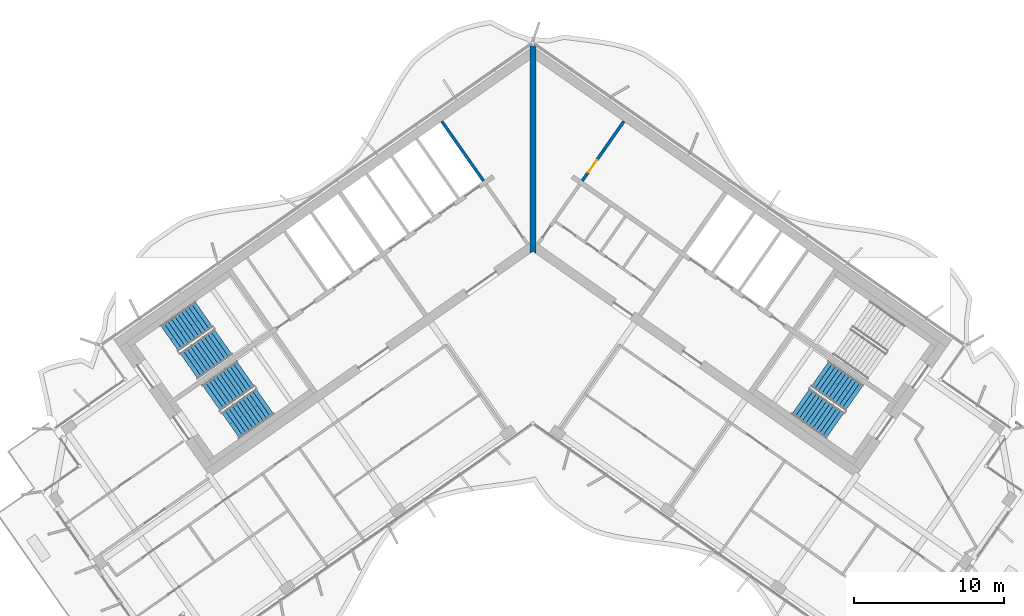
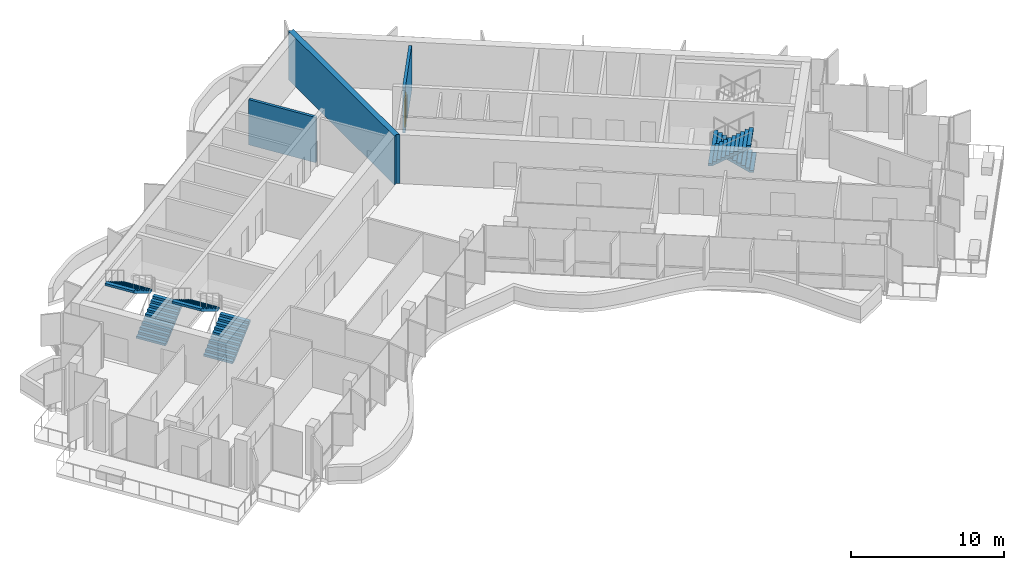
# One storey, part 14 of 21: 6 stair flights, 3 walls, 1 door, 1 opening, 3 elements without a shape of their own.
"""IFC4 building model written with IfcOpenShell, lengths in metres."""

from ifc_helpers import new_model, si_unit, direction, frame, frame_2d, origin, place, context, subcontext, project, spatial, polyline, rectangle, outline, extrude, material, layer, layer_set, type_object, element, fill, aggregate, save


model = new_model("IFC4")

# Units and contexts
model_context = context("Model", 3, precision=1e-05, world=origin(), true_north=direction((0.0, 1.0)))
body_context = subcontext(model_context, "Body", "Model", "MODEL_VIEW")
ifc_project = project(units=[si_unit("LENGTHUNIT", "METRE"), si_unit("AREAUNIT", "SQUARE_METRE"), si_unit("VOLUMEUNIT", "CUBIC_METRE"), si_unit("PLANEANGLEUNIT", "RADIAN"), si_unit("MASSUNIT", "GRAM", prefix="KILO")], contexts=[model_context])

# Site, building, storey
site_placement = place(None, origin())
site = spatial("IfcSite", under=ifc_project, at=site_placement, CompositionType="ELEMENT")
building_placement = place(site_placement, origin())
building = spatial("IfcBuilding", under=site, at=building_placement, Name="Tel Ilan Convention Tower", CompositionType="ELEMENT")
storey_placement = place(building_placement, frame((0.0, 0.0, 225.39990234375)))
storey = spatial("IfcBuildingStorey", under=building, at=storey_placement, Name="L52", CompositionType="ELEMENT", Elevation=225.39990234375)

# Wall
ifc_material_1 = material(Name="Concrete C30/37", Category="concrete")
ifc_layer_1 = layer(ifc_material_1, 0.199951171875)
ifc_layer_set_1 = layer_set([ifc_layer_1], Name="Core Service Room Wall 200 mm C30/37")
wall_type_1 = type_object("IfcWallType", Name="Core Service Room Wall 200 mm C30/37", PredefinedType="SOLIDWALL", material=ifc_layer_set_1)
wall_1_placement = place(storey_placement, frame((-3.2978515625, 3.489501953125, 0.0), z_axis=(0.0, 0.0, 1.0), x_axis=(-0.573560315113, 0.819163332265, 0.0)))
element("IfcWall", 1, at=wall_1_placement, inside=storey, type_object=wall_type_1, Name="L52 core wall apex-W-b", PredefinedType="SOLIDWALL", context=body_context, shape_type="SweptSolid", body=[
    extrude(rectangle(XDim=4.849853515625, YDim=0.199951171875, at=frame_2d((2.4248046875, 0.0))), origin(), (0.0, 0.0, 1.0), 3.6201171875),
])

# Wall, opening, door
wall_2_placement = place(storey_placement, frame((3.2978515625, 3.489501953125, 0.0), z_axis=(0.0, 0.0, 1.0), x_axis=(0.573560315113, 0.819163332265, 0.0)))
wall_2 = element("IfcWall", 2, at=wall_2_placement, inside=storey, type_object=wall_type_1, Name="L52 core wall apex-E-b", PredefinedType="SOLIDWALL", context=body_context, shape_type="SweptSolid", body=[
    extrude(rectangle(XDim=4.849853515625, YDim=0.199951171875, at=frame_2d((2.4248046875, 0.0))), origin(), (0.0, 0.0, 1.0), 3.6201171875),
])
opening_placement = place(wall_2_placement, frame((0.699951171875, 0.0, 0.0)))
opening = element("IfcOpeningElement", 3, at=opening_placement, cuts=wall_2, Name="Opening CD4103", PredefinedType="OPENING", context=body_context, shape_type="SweptSolid", body=[
    extrude(rectangle(XDim=1.0, YDim=2.10009765625, at=frame_2d((0.5, 1.050048828125))), frame((0.0, 0.10986328125, 0.0), z_axis=(0.0, -1.0, 0.0), x_axis=(1.0, 0.0, 0.0)), (0.0, 0.0, 1.0), 0.219970703125),
])
ifc_material_2 = material(Name="Galvanised Steel Door Leaf", Category="steel")
door_type = type_object("IfcDoorType", Name="Service Room Door 1000 x 2100 FD60", OperationType="NOTDEFINED", PredefinedType="DOOR", material=ifc_material_2)
door_placement = place(opening_placement, origin())
door = element("IfcDoor", 4, at=door_placement, inside=storey, type_object=door_type, Name="Plant Room door", OperationType="SINGLE_SWING_RIGHT", OverallHeight=2.10009765625, OverallWidth=1.0, PredefinedType="DOOR", context=body_context, shape_type="SweptSolid", body=[
    extrude(rectangle(XDim=1.0, YDim=2.10009765625, at=frame_2d((0.5, 1.050048828125))), frame((0.0, 0.02490234375, 0.0), z_axis=(0.0, -1.0, 0.0), x_axis=(1.0, 0.0, 0.0)), (0.0, 0.0, 1.0), 0.050048828125),
])
fill(opening, door)

# Wall
ifc_material_3 = material(Name="Concrete C40/50", Category="concrete")
ifc_layer_2 = layer(ifc_material_3, 0.39990234375)
ifc_layer_set_2 = layer_set([ifc_layer_2], Name="Core Shear Wall 400 mm C40/50")
wall_type_2 = type_object("IfcWallType", Name="Core Shear Wall 400 mm C40/50", PredefinedType="SHEAR", material=ifc_layer_set_2)
wall_3_placement = place(storey_placement, frame((0.0, -1.36083984375, 0.0), z_axis=(0.0, 0.0, 1.0), x_axis=(0.0, 1.0, 0.0)))
element("IfcWall", 5, at=wall_3_placement, inside=storey, type_object=wall_type_2, Name="L52 core wall K-central", PredefinedType="SHEAR", context=body_context, shape_type="SweptSolid", body=[
    extrude(outline(polyline([(0.14013671875, 0.199951171875), (0.0, 0.199951171875), (0.14013671875, 0.0), (0.0, -0.199951171875), (0.14013671875, -0.199951171875), (1.012451171875, -0.199951171875), (12.940185546875, -0.199951171875), (13.812744140625, -0.199951171875), (13.893310546875, -0.199951171875), (13.933349609375, -0.172119140625), (13.812744140625, 0.0), (13.933349609375, 0.172119140625), (13.893310546875, 0.199951171875), (13.812744140625, 0.199951171875), (12.940185546875, 0.199951171875), (1.012451171875, 0.199951171875), (0.14013671875, 0.199951171875)])), origin(), (0.0, 0.0, 1.0), 3.900146484375),
])

# Stair, stair flights
ifc_material_4 = material(Name="Concrete C40/50", Category="concrete")
stair_type = type_object("IfcStairType", Name="Pressurised Exit Stair 22 risers 177 mm", PredefinedType="HALF_TURN_STAIR", material=ifc_material_4)
stair_1_placement = place(storey_placement, origin())
stair_1 = element("IfcStair", 6, at=stair_1_placement, inside=storey, type_object=stair_type, Name="L52 Pressurised Stair S1", PredefinedType="HALF_TURN_STAIR")
ifc_material_5 = material(Name="Precast Concrete C40/50", Category="concrete")
stair_flight_type = type_object("IfcStairFlightType", Name="Concrete Stair Flight 2100 mm 22 risers 177 mm", PredefinedType="STRAIGHT", material=ifc_material_5)
stair_flight_1_placement = place(storey_placement, frame((-22.9619140625, -8.87548828125, 0.0), z_axis=(0.0, 0.0, 1.0), x_axis=(0.819152044289, 0.573576436351, 0.0)))
stair_flight_1 = element("IfcStairFlight", 7, at=stair_flight_1_placement, type_object=stair_flight_type, Name="S1 flight 1", NumberOfRisers=11, NumberOfTreads=10, PredefinedType="STRAIGHT", RiserHeight=0.177272727, TreadLength=0.28, context=body_context, shape_type="SweptSolid", body=[
    extrude(outline(polyline([(0.0, 0.0), (0.0, 0.17724609375), (0.280029296875, 0.17724609375), (0.280029296875, 0.3544921875), (0.56005859375, 0.3544921875), (0.56005859375, 0.53173828125), (0.840087890625, 0.53173828125), (0.840087890625, 0.708984375), (1.1201171875, 0.708984375), (1.1201171875, 0.886474609375), (1.39990234375, 0.886474609375), (1.39990234375, 1.063720703125), (1.679931640625, 1.063720703125), (1.679931640625, 1.240966796875), (1.9599609375, 1.240966796875), (1.9599609375, 1.418212890625), (2.239990234375, 1.418212890625), (2.239990234375, 1.595458984375), (2.52001953125, 1.595458984375), (2.52001953125, 1.772705078125), (2.800048828125, 1.772705078125), (2.800048828125, 1.949951171875), (2.800048828125, 1.59521484375), (0.2802734375, 0.0), (0.0, 0.0)])), frame((0.0, -0.100341796875, 0.0), z_axis=(0.0, -1.0, 0.0), x_axis=(1.0, 0.0, 0.0)), (0.0, 0.0, 1.0), 0.94970703125),
    extrude(outline(polyline([(0.0, 0.0), (0.0, 0.17724609375), (0.280029296875, 0.17724609375), (0.280029296875, 0.3544921875), (0.56005859375, 0.3544921875), (0.56005859375, 0.53173828125), (0.840087890625, 0.53173828125), (0.840087890625, 0.708984375), (1.1201171875, 0.708984375), (1.1201171875, 0.886474609375), (1.39990234375, 0.886474609375), (1.39990234375, 1.063720703125), (1.679931640625, 1.063720703125), (1.679931640625, 1.240966796875), (1.9599609375, 1.240966796875), (1.9599609375, 1.418212890625), (2.239990234375, 1.418212890625), (2.239990234375, 1.595458984375), (2.52001953125, 1.595458984375), (2.52001953125, 1.772705078125), (2.800048828125, 1.772705078125), (2.800048828125, 1.949951171875), (2.800048828125, 1.59521484375), (0.2802734375, 0.0), (0.0, 0.0)])), frame((0.0, -0.000244140625, 0.0), z_axis=(0.0, -1.0, 0.0), x_axis=(1.0, 0.0, 0.0)), (0.0, 0.0, 1.0), 0.099609375),
    extrude(outline(polyline([(0.0, 0.0), (0.0, 0.17724609375), (0.280029296875, 0.17724609375), (0.280029296875, 0.3544921875), (0.56005859375, 0.3544921875), (0.56005859375, 0.53173828125), (0.840087890625, 0.53173828125), (0.840087890625, 0.708984375), (1.1201171875, 0.708984375), (1.1201171875, 0.886474609375), (1.39990234375, 0.886474609375), (1.39990234375, 1.063720703125), (1.679931640625, 1.063720703125), (1.679931640625, 1.240966796875), (1.9599609375, 1.240966796875), (1.9599609375, 1.418212890625), (2.239990234375, 1.418212890625), (2.239990234375, 1.595458984375), (2.52001953125, 1.595458984375), (2.52001953125, 1.772705078125), (2.800048828125, 1.772705078125), (2.800048828125, 1.949951171875), (2.800048828125, 1.59521484375), (0.2802734375, 0.0), (0.0, 0.0)])), frame((0.0, 0.099853515625, 0.0), z_axis=(0.0, -1.0, 0.0), x_axis=(1.0, 0.0, 0.0)), (0.0, 0.0, 1.0), 0.099609375),
    extrude(outline(polyline([(0.0, 0.0), (0.0, 0.17724609375), (0.280029296875, 0.17724609375), (0.280029296875, 0.3544921875), (0.56005859375, 0.3544921875), (0.56005859375, 0.53173828125), (0.840087890625, 0.53173828125), (0.840087890625, 0.708984375), (1.1201171875, 0.708984375), (1.1201171875, 0.886474609375), (1.39990234375, 0.886474609375), (1.39990234375, 1.063720703125), (1.679931640625, 1.063720703125), (1.679931640625, 1.240966796875), (1.9599609375, 1.240966796875), (1.9599609375, 1.418212890625), (2.239990234375, 1.418212890625), (2.239990234375, 1.595458984375), (2.52001953125, 1.595458984375), (2.52001953125, 1.772705078125), (2.800048828125, 1.772705078125), (2.800048828125, 1.949951171875), (2.800048828125, 1.59521484375), (0.2802734375, 0.0), (0.0, 0.0)])), frame((0.0, 1.050048828125, 0.0), z_axis=(0.0, -1.0, 0.0), x_axis=(1.0, 0.0, 0.0)), (0.0, 0.0, 1.0), 0.94970703125),
])
stair_flight_2_placement = place(storey_placement, frame((-21.958740234375, -5.42626953125, 1.9501953125), z_axis=(0.0, 0.0, 1.0), x_axis=(-0.819152044289, -0.573576436351, 0.0)))
stair_flight_2 = element("IfcStairFlight", 8, at=stair_flight_2_placement, type_object=stair_flight_type, Name="S1 flight 2", NumberOfRisers=11, NumberOfTreads=10, PredefinedType="STRAIGHT", RiserHeight=0.177272727, TreadLength=0.28, context=body_context, shape_type="SweptSolid", body=[
    extrude(outline(polyline([(0.0, 0.0), (0.0, 0.17724609375), (0.280029296875, 0.17724609375), (0.280029296875, 0.3544921875), (0.56005859375, 0.3544921875), (0.56005859375, 0.53173828125), (0.840087890625, 0.53173828125), (0.840087890625, 0.708984375), (1.1201171875, 0.708984375), (1.1201171875, 0.886474609375), (1.39990234375, 0.886474609375), (1.39990234375, 1.063720703125), (1.679931640625, 1.063720703125), (1.679931640625, 1.240966796875), (1.9599609375, 1.240966796875), (1.9599609375, 1.418212890625), (2.239990234375, 1.418212890625), (2.239990234375, 1.595458984375), (2.52001953125, 1.595458984375), (2.52001953125, 1.772705078125), (2.800048828125, 1.772705078125), (2.800048828125, 1.949951171875), (2.800048828125, 1.59521484375), (0.2802734375, 0.0), (0.0, 0.0)])), frame((0.0, -0.100341796875, 0.0), z_axis=(0.0, -1.0, 0.0), x_axis=(1.0, 0.0, 0.0)), (0.0, 0.0, 1.0), 0.94970703125),
    extrude(outline(polyline([(0.0, 0.0), (0.0, 0.17724609375), (0.280029296875, 0.17724609375), (0.280029296875, 0.3544921875), (0.56005859375, 0.3544921875), (0.56005859375, 0.53173828125), (0.840087890625, 0.53173828125), (0.840087890625, 0.708984375), (1.1201171875, 0.708984375), (1.1201171875, 0.886474609375), (1.39990234375, 0.886474609375), (1.39990234375, 1.063720703125), (1.679931640625, 1.063720703125), (1.679931640625, 1.240966796875), (1.9599609375, 1.240966796875), (1.9599609375, 1.418212890625), (2.239990234375, 1.418212890625), (2.239990234375, 1.595458984375), (2.52001953125, 1.595458984375), (2.52001953125, 1.772705078125), (2.800048828125, 1.772705078125), (2.800048828125, 1.949951171875), (2.800048828125, 1.59521484375), (0.2802734375, 0.0), (0.0, 0.0)])), frame((0.0, -0.000244140625, 0.0), z_axis=(0.0, -1.0, 0.0), x_axis=(1.0, 0.0, 0.0)), (0.0, 0.0, 1.0), 0.099609375),
    extrude(outline(polyline([(0.0, 0.0), (0.0, 0.17724609375), (0.280029296875, 0.17724609375), (0.280029296875, 0.3544921875), (0.56005859375, 0.3544921875), (0.56005859375, 0.53173828125), (0.840087890625, 0.53173828125), (0.840087890625, 0.708984375), (1.1201171875, 0.708984375), (1.1201171875, 0.886474609375), (1.39990234375, 0.886474609375), (1.39990234375, 1.063720703125), (1.679931640625, 1.063720703125), (1.679931640625, 1.240966796875), (1.9599609375, 1.240966796875), (1.9599609375, 1.418212890625), (2.239990234375, 1.418212890625), (2.239990234375, 1.595458984375), (2.52001953125, 1.595458984375), (2.52001953125, 1.772705078125), (2.800048828125, 1.772705078125), (2.800048828125, 1.949951171875), (2.800048828125, 1.59521484375), (0.2802734375, 0.0), (0.0, 0.0)])), frame((0.0, 0.099853515625, 0.0), z_axis=(0.0, -1.0, 0.0), x_axis=(1.0, 0.0, 0.0)), (0.0, 0.0, 1.0), 0.099609375),
    extrude(outline(polyline([(0.0, 0.0), (0.0, 0.17724609375), (0.280029296875, 0.17724609375), (0.280029296875, 0.3544921875), (0.56005859375, 0.3544921875), (0.56005859375, 0.53173828125), (0.840087890625, 0.53173828125), (0.840087890625, 0.708984375), (1.1201171875, 0.708984375), (1.1201171875, 0.886474609375), (1.39990234375, 0.886474609375), (1.39990234375, 1.063720703125), (1.679931640625, 1.063720703125), (1.679931640625, 1.240966796875), (1.9599609375, 1.240966796875), (1.9599609375, 1.418212890625), (2.239990234375, 1.418212890625), (2.239990234375, 1.595458984375), (2.52001953125, 1.595458984375), (2.52001953125, 1.772705078125), (2.800048828125, 1.772705078125), (2.800048828125, 1.949951171875), (2.800048828125, 1.59521484375), (0.2802734375, 0.0), (0.0, 0.0)])), frame((0.0, 1.050048828125, 0.0), z_axis=(0.0, -1.0, 0.0), x_axis=(1.0, 0.0, 0.0)), (0.0, 0.0, 1.0), 0.94970703125),
])
aggregate(stair_1, [stair_flight_1, stair_flight_2])

stair_2_placement = place(storey_placement, origin())
stair_2 = element("IfcStair", 9, at=stair_2_placement, inside=storey, type_object=stair_type, Name="L52 Pressurised Stair S2", PredefinedType="HALF_TURN_STAIR")
stair_flight_3_placement = place(storey_placement, frame((-20.179931640625, -12.848388671875, 0.0), z_axis=(0.0, 0.0, 1.0), x_axis=(0.819152044289, 0.573576436351, 0.0)))
stair_flight_3 = element("IfcStairFlight", 10, at=stair_flight_3_placement, type_object=stair_flight_type, Name="S2 flight 1", NumberOfRisers=11, NumberOfTreads=10, PredefinedType="STRAIGHT", RiserHeight=0.177272727, TreadLength=0.28, context=body_context, shape_type="SweptSolid", body=[
    extrude(outline(polyline([(0.0, 0.0), (0.0, 0.17724609375), (0.280029296875, 0.17724609375), (0.280029296875, 0.3544921875), (0.56005859375, 0.3544921875), (0.56005859375, 0.53173828125), (0.840087890625, 0.53173828125), (0.840087890625, 0.708984375), (1.1201171875, 0.708984375), (1.1201171875, 0.886474609375), (1.39990234375, 0.886474609375), (1.39990234375, 1.063720703125), (1.679931640625, 1.063720703125), (1.679931640625, 1.240966796875), (1.9599609375, 1.240966796875), (1.9599609375, 1.418212890625), (2.239990234375, 1.418212890625), (2.239990234375, 1.595458984375), (2.52001953125, 1.595458984375), (2.52001953125, 1.772705078125), (2.800048828125, 1.772705078125), (2.800048828125, 1.949951171875), (2.800048828125, 1.59521484375), (0.2802734375, 0.0), (0.0, 0.0)])), frame((0.0, -0.100341796875, 0.0), z_axis=(0.0, -1.0, 0.0), x_axis=(1.0, 0.0, 0.0)), (0.0, 0.0, 1.0), 0.94970703125),
    extrude(outline(polyline([(0.0, 0.0), (0.0, 0.17724609375), (0.280029296875, 0.17724609375), (0.280029296875, 0.3544921875), (0.56005859375, 0.3544921875), (0.56005859375, 0.53173828125), (0.840087890625, 0.53173828125), (0.840087890625, 0.708984375), (1.1201171875, 0.708984375), (1.1201171875, 0.886474609375), (1.39990234375, 0.886474609375), (1.39990234375, 1.063720703125), (1.679931640625, 1.063720703125), (1.679931640625, 1.240966796875), (1.9599609375, 1.240966796875), (1.9599609375, 1.418212890625), (2.239990234375, 1.418212890625), (2.239990234375, 1.595458984375), (2.52001953125, 1.595458984375), (2.52001953125, 1.772705078125), (2.800048828125, 1.772705078125), (2.800048828125, 1.949951171875), (2.800048828125, 1.59521484375), (0.2802734375, 0.0), (0.0, 0.0)])), frame((0.0, -0.000244140625, 0.0), z_axis=(0.0, -1.0, 0.0), x_axis=(1.0, 0.0, 0.0)), (0.0, 0.0, 1.0), 0.099609375),
    extrude(outline(polyline([(0.0, 0.0), (0.0, 0.17724609375), (0.280029296875, 0.17724609375), (0.280029296875, 0.3544921875), (0.56005859375, 0.3544921875), (0.56005859375, 0.53173828125), (0.840087890625, 0.53173828125), (0.840087890625, 0.708984375), (1.1201171875, 0.708984375), (1.1201171875, 0.886474609375), (1.39990234375, 0.886474609375), (1.39990234375, 1.063720703125), (1.679931640625, 1.063720703125), (1.679931640625, 1.240966796875), (1.9599609375, 1.240966796875), (1.9599609375, 1.418212890625), (2.239990234375, 1.418212890625), (2.239990234375, 1.595458984375), (2.52001953125, 1.595458984375), (2.52001953125, 1.772705078125), (2.800048828125, 1.772705078125), (2.800048828125, 1.949951171875), (2.800048828125, 1.59521484375), (0.2802734375, 0.0), (0.0, 0.0)])), frame((0.0, 0.099853515625, 0.0), z_axis=(0.0, -1.0, 0.0), x_axis=(1.0, 0.0, 0.0)), (0.0, 0.0, 1.0), 0.099609375),
    extrude(outline(polyline([(0.0, 0.0), (0.0, 0.17724609375), (0.280029296875, 0.17724609375), (0.280029296875, 0.3544921875), (0.56005859375, 0.3544921875), (0.56005859375, 0.53173828125), (0.840087890625, 0.53173828125), (0.840087890625, 0.708984375), (1.1201171875, 0.708984375), (1.1201171875, 0.886474609375), (1.39990234375, 0.886474609375), (1.39990234375, 1.063720703125), (1.679931640625, 1.063720703125), (1.679931640625, 1.240966796875), (1.9599609375, 1.240966796875), (1.9599609375, 1.418212890625), (2.239990234375, 1.418212890625), (2.239990234375, 1.595458984375), (2.52001953125, 1.595458984375), (2.52001953125, 1.772705078125), (2.800048828125, 1.772705078125), (2.800048828125, 1.949951171875), (2.800048828125, 1.59521484375), (0.2802734375, 0.0), (0.0, 0.0)])), frame((0.0, 1.050048828125, 0.0), z_axis=(0.0, -1.0, 0.0), x_axis=(1.0, 0.0, 0.0)), (0.0, 0.0, 1.0), 0.94970703125),
])
stair_flight_4_placement = place(storey_placement, frame((-19.177001953125, -9.399169921875, 1.9501953125), z_axis=(0.0, 0.0, 1.0), x_axis=(-0.819152044289, -0.573576436351, 0.0)))
stair_flight_4 = element("IfcStairFlight", 11, at=stair_flight_4_placement, type_object=stair_flight_type, Name="S2 flight 2", NumberOfRisers=11, NumberOfTreads=10, PredefinedType="STRAIGHT", RiserHeight=0.177272727, TreadLength=0.28, context=body_context, shape_type="SweptSolid", body=[
    extrude(outline(polyline([(0.0, 0.0), (0.0, 0.17724609375), (0.280029296875, 0.17724609375), (0.280029296875, 0.3544921875), (0.56005859375, 0.3544921875), (0.56005859375, 0.53173828125), (0.840087890625, 0.53173828125), (0.840087890625, 0.708984375), (1.1201171875, 0.708984375), (1.1201171875, 0.886474609375), (1.39990234375, 0.886474609375), (1.39990234375, 1.063720703125), (1.679931640625, 1.063720703125), (1.679931640625, 1.240966796875), (1.9599609375, 1.240966796875), (1.9599609375, 1.418212890625), (2.239990234375, 1.418212890625), (2.239990234375, 1.595458984375), (2.52001953125, 1.595458984375), (2.52001953125, 1.772705078125), (2.800048828125, 1.772705078125), (2.800048828125, 1.949951171875), (2.800048828125, 1.59521484375), (0.2802734375, 0.0), (0.0, 0.0)])), frame((0.0, -0.100341796875, 0.0), z_axis=(0.0, -1.0, 0.0), x_axis=(1.0, 0.0, 0.0)), (0.0, 0.0, 1.0), 0.94970703125),
    extrude(outline(polyline([(0.0, 0.0), (0.0, 0.17724609375), (0.280029296875, 0.17724609375), (0.280029296875, 0.3544921875), (0.56005859375, 0.3544921875), (0.56005859375, 0.53173828125), (0.840087890625, 0.53173828125), (0.840087890625, 0.708984375), (1.1201171875, 0.708984375), (1.1201171875, 0.886474609375), (1.39990234375, 0.886474609375), (1.39990234375, 1.063720703125), (1.679931640625, 1.063720703125), (1.679931640625, 1.240966796875), (1.9599609375, 1.240966796875), (1.9599609375, 1.418212890625), (2.239990234375, 1.418212890625), (2.239990234375, 1.595458984375), (2.52001953125, 1.595458984375), (2.52001953125, 1.772705078125), (2.800048828125, 1.772705078125), (2.800048828125, 1.949951171875), (2.800048828125, 1.59521484375), (0.2802734375, 0.0), (0.0, 0.0)])), frame((0.0, -0.000244140625, 0.0), z_axis=(0.0, -1.0, 0.0), x_axis=(1.0, 0.0, 0.0)), (0.0, 0.0, 1.0), 0.099609375),
    extrude(outline(polyline([(0.0, 0.0), (0.0, 0.17724609375), (0.280029296875, 0.17724609375), (0.280029296875, 0.3544921875), (0.56005859375, 0.3544921875), (0.56005859375, 0.53173828125), (0.840087890625, 0.53173828125), (0.840087890625, 0.708984375), (1.1201171875, 0.708984375), (1.1201171875, 0.886474609375), (1.39990234375, 0.886474609375), (1.39990234375, 1.063720703125), (1.679931640625, 1.063720703125), (1.679931640625, 1.240966796875), (1.9599609375, 1.240966796875), (1.9599609375, 1.418212890625), (2.239990234375, 1.418212890625), (2.239990234375, 1.595458984375), (2.52001953125, 1.595458984375), (2.52001953125, 1.772705078125), (2.800048828125, 1.772705078125), (2.800048828125, 1.949951171875), (2.800048828125, 1.59521484375), (0.2802734375, 0.0), (0.0, 0.0)])), frame((0.0, 0.099853515625, 0.0), z_axis=(0.0, -1.0, 0.0), x_axis=(1.0, 0.0, 0.0)), (0.0, 0.0, 1.0), 0.099609375),
    extrude(outline(polyline([(0.0, 0.0), (0.0, 0.17724609375), (0.280029296875, 0.17724609375), (0.280029296875, 0.3544921875), (0.56005859375, 0.3544921875), (0.56005859375, 0.53173828125), (0.840087890625, 0.53173828125), (0.840087890625, 0.708984375), (1.1201171875, 0.708984375), (1.1201171875, 0.886474609375), (1.39990234375, 0.886474609375), (1.39990234375, 1.063720703125), (1.679931640625, 1.063720703125), (1.679931640625, 1.240966796875), (1.9599609375, 1.240966796875), (1.9599609375, 1.418212890625), (2.239990234375, 1.418212890625), (2.239990234375, 1.595458984375), (2.52001953125, 1.595458984375), (2.52001953125, 1.772705078125), (2.800048828125, 1.772705078125), (2.800048828125, 1.949951171875), (2.800048828125, 1.59521484375), (0.2802734375, 0.0), (0.0, 0.0)])), frame((0.0, 1.050048828125, 0.0), z_axis=(0.0, -1.0, 0.0), x_axis=(1.0, 0.0, 0.0)), (0.0, 0.0, 1.0), 0.94970703125),
])
aggregate(stair_2, [stair_flight_3, stair_flight_4])

stair_3_placement = place(storey_placement, origin())
stair_3 = element("IfcStair", 12, at=stair_3_placement, inside=storey, type_object=stair_type, Name="L52 Pressurised Stair S4", PredefinedType="HALF_TURN_STAIR")
stair_flight_5_placement = place(storey_placement, frame((21.470458984375, -11.00537109375, 0.0), z_axis=(0.0, 0.0, 1.0), x_axis=(-0.819152044289, 0.573576436351, 0.0)))
stair_flight_5 = element("IfcStairFlight", 13, at=stair_flight_5_placement, type_object=stair_flight_type, Name="S4 flight 1", NumberOfRisers=11, NumberOfTreads=10, PredefinedType="STRAIGHT", RiserHeight=0.177272727, TreadLength=0.28, context=body_context, shape_type="SweptSolid", body=[
    extrude(outline(polyline([(0.0, 0.0), (0.0, 0.17724609375), (0.280029296875, 0.17724609375), (0.280029296875, 0.3544921875), (0.56005859375, 0.3544921875), (0.56005859375, 0.53173828125), (0.840087890625, 0.53173828125), (0.840087890625, 0.708984375), (1.1201171875, 0.708984375), (1.1201171875, 0.886474609375), (1.39990234375, 0.886474609375), (1.39990234375, 1.063720703125), (1.679931640625, 1.063720703125), (1.679931640625, 1.240966796875), (1.9599609375, 1.240966796875), (1.9599609375, 1.418212890625), (2.239990234375, 1.418212890625), (2.239990234375, 1.595458984375), (2.52001953125, 1.595458984375), (2.52001953125, 1.772705078125), (2.800048828125, 1.772705078125), (2.800048828125, 1.949951171875), (2.800048828125, 1.59521484375), (0.2802734375, 0.0), (0.0, 0.0)])), frame((0.0, -0.100341796875, 0.0), z_axis=(0.0, -1.0, 0.0), x_axis=(1.0, 0.0, 0.0)), (0.0, 0.0, 1.0), 0.94970703125),
    extrude(outline(polyline([(0.0, 0.0), (0.0, 0.17724609375), (0.280029296875, 0.17724609375), (0.280029296875, 0.3544921875), (0.56005859375, 0.3544921875), (0.56005859375, 0.53173828125), (0.840087890625, 0.53173828125), (0.840087890625, 0.708984375), (1.1201171875, 0.708984375), (1.1201171875, 0.886474609375), (1.39990234375, 0.886474609375), (1.39990234375, 1.063720703125), (1.679931640625, 1.063720703125), (1.679931640625, 1.240966796875), (1.9599609375, 1.240966796875), (1.9599609375, 1.418212890625), (2.239990234375, 1.418212890625), (2.239990234375, 1.595458984375), (2.52001953125, 1.595458984375), (2.52001953125, 1.772705078125), (2.800048828125, 1.772705078125), (2.800048828125, 1.949951171875), (2.800048828125, 1.59521484375), (0.2802734375, 0.0), (0.0, 0.0)])), frame((0.0, -0.000244140625, 0.0), z_axis=(0.0, -1.0, 0.0), x_axis=(1.0, 0.0, 0.0)), (0.0, 0.0, 1.0), 0.099609375),
    extrude(outline(polyline([(0.0, 0.0), (0.0, 0.17724609375), (0.280029296875, 0.17724609375), (0.280029296875, 0.3544921875), (0.56005859375, 0.3544921875), (0.56005859375, 0.53173828125), (0.840087890625, 0.53173828125), (0.840087890625, 0.708984375), (1.1201171875, 0.708984375), (1.1201171875, 0.886474609375), (1.39990234375, 0.886474609375), (1.39990234375, 1.063720703125), (1.679931640625, 1.063720703125), (1.679931640625, 1.240966796875), (1.9599609375, 1.240966796875), (1.9599609375, 1.418212890625), (2.239990234375, 1.418212890625), (2.239990234375, 1.595458984375), (2.52001953125, 1.595458984375), (2.52001953125, 1.772705078125), (2.800048828125, 1.772705078125), (2.800048828125, 1.949951171875), (2.800048828125, 1.59521484375), (0.2802734375, 0.0), (0.0, 0.0)])), frame((0.0, 0.099853515625, 0.0), z_axis=(0.0, -1.0, 0.0), x_axis=(1.0, 0.0, 0.0)), (0.0, 0.0, 1.0), 0.099609375),
    extrude(outline(polyline([(0.0, 0.0), (0.0, 0.17724609375), (0.280029296875, 0.17724609375), (0.280029296875, 0.3544921875), (0.56005859375, 0.3544921875), (0.56005859375, 0.53173828125), (0.840087890625, 0.53173828125), (0.840087890625, 0.708984375), (1.1201171875, 0.708984375), (1.1201171875, 0.886474609375), (1.39990234375, 0.886474609375), (1.39990234375, 1.063720703125), (1.679931640625, 1.063720703125), (1.679931640625, 1.240966796875), (1.9599609375, 1.240966796875), (1.9599609375, 1.418212890625), (2.239990234375, 1.418212890625), (2.239990234375, 1.595458984375), (2.52001953125, 1.595458984375), (2.52001953125, 1.772705078125), (2.800048828125, 1.772705078125), (2.800048828125, 1.949951171875), (2.800048828125, 1.59521484375), (0.2802734375, 0.0), (0.0, 0.0)])), frame((0.0, 1.050048828125, 0.0), z_axis=(0.0, -1.0, 0.0), x_axis=(1.0, 0.0, 0.0)), (0.0, 0.0, 1.0), 0.94970703125),
])
stair_flight_6_placement = place(storey_placement, frame((17.886474609375, -11.242431640625, 1.9501953125), z_axis=(0.0, 0.0, 1.0), x_axis=(0.819152044289, -0.573576436351, 0.0)))
stair_flight_6 = element("IfcStairFlight", 14, at=stair_flight_6_placement, type_object=stair_flight_type, Name="S4 flight 2", NumberOfRisers=11, NumberOfTreads=10, PredefinedType="STRAIGHT", RiserHeight=0.177272727, TreadLength=0.28, context=body_context, shape_type="SweptSolid", body=[
    extrude(outline(polyline([(0.0, 0.0), (0.0, 0.17724609375), (0.280029296875, 0.17724609375), (0.280029296875, 0.3544921875), (0.56005859375, 0.3544921875), (0.56005859375, 0.53173828125), (0.840087890625, 0.53173828125), (0.840087890625, 0.708984375), (1.1201171875, 0.708984375), (1.1201171875, 0.886474609375), (1.39990234375, 0.886474609375), (1.39990234375, 1.063720703125), (1.679931640625, 1.063720703125), (1.679931640625, 1.240966796875), (1.9599609375, 1.240966796875), (1.9599609375, 1.418212890625), (2.239990234375, 1.418212890625), (2.239990234375, 1.595458984375), (2.52001953125, 1.595458984375), (2.52001953125, 1.772705078125), (2.800048828125, 1.772705078125), (2.800048828125, 1.949951171875), (2.800048828125, 1.59521484375), (0.2802734375, 0.0), (0.0, 0.0)])), frame((0.0, -0.100341796875, 0.0), z_axis=(0.0, -1.0, 0.0), x_axis=(1.0, 0.0, 0.0)), (0.0, 0.0, 1.0), 0.94970703125),
    extrude(outline(polyline([(0.0, 0.0), (0.0, 0.17724609375), (0.280029296875, 0.17724609375), (0.280029296875, 0.3544921875), (0.56005859375, 0.3544921875), (0.56005859375, 0.53173828125), (0.840087890625, 0.53173828125), (0.840087890625, 0.708984375), (1.1201171875, 0.708984375), (1.1201171875, 0.886474609375), (1.39990234375, 0.886474609375), (1.39990234375, 1.063720703125), (1.679931640625, 1.063720703125), (1.679931640625, 1.240966796875), (1.9599609375, 1.240966796875), (1.9599609375, 1.418212890625), (2.239990234375, 1.418212890625), (2.239990234375, 1.595458984375), (2.52001953125, 1.595458984375), (2.52001953125, 1.772705078125), (2.800048828125, 1.772705078125), (2.800048828125, 1.949951171875), (2.800048828125, 1.59521484375), (0.2802734375, 0.0), (0.0, 0.0)])), frame((0.0, -0.000244140625, 0.0), z_axis=(0.0, -1.0, 0.0), x_axis=(1.0, 0.0, 0.0)), (0.0, 0.0, 1.0), 0.099609375),
    extrude(outline(polyline([(0.0, 0.0), (0.0, 0.17724609375), (0.280029296875, 0.17724609375), (0.280029296875, 0.3544921875), (0.56005859375, 0.3544921875), (0.56005859375, 0.53173828125), (0.840087890625, 0.53173828125), (0.840087890625, 0.708984375), (1.1201171875, 0.708984375), (1.1201171875, 0.886474609375), (1.39990234375, 0.886474609375), (1.39990234375, 1.063720703125), (1.679931640625, 1.063720703125), (1.679931640625, 1.240966796875), (1.9599609375, 1.240966796875), (1.9599609375, 1.418212890625), (2.239990234375, 1.418212890625), (2.239990234375, 1.595458984375), (2.52001953125, 1.595458984375), (2.52001953125, 1.772705078125), (2.800048828125, 1.772705078125), (2.800048828125, 1.949951171875), (2.800048828125, 1.59521484375), (0.2802734375, 0.0), (0.0, 0.0)])), frame((0.0, 0.099853515625, 0.0), z_axis=(0.0, -1.0, 0.0), x_axis=(1.0, 0.0, 0.0)), (0.0, 0.0, 1.0), 0.099609375),
    extrude(outline(polyline([(0.0, 0.0), (0.0, 0.17724609375), (0.280029296875, 0.17724609375), (0.280029296875, 0.3544921875), (0.56005859375, 0.3544921875), (0.56005859375, 0.53173828125), (0.840087890625, 0.53173828125), (0.840087890625, 0.708984375), (1.1201171875, 0.708984375), (1.1201171875, 0.886474609375), (1.39990234375, 0.886474609375), (1.39990234375, 1.063720703125), (1.679931640625, 1.063720703125), (1.679931640625, 1.240966796875), (1.9599609375, 1.240966796875), (1.9599609375, 1.418212890625), (2.239990234375, 1.418212890625), (2.239990234375, 1.595458984375), (2.52001953125, 1.595458984375), (2.52001953125, 1.772705078125), (2.800048828125, 1.772705078125), (2.800048828125, 1.949951171875), (2.800048828125, 1.59521484375), (0.2802734375, 0.0), (0.0, 0.0)])), frame((0.0, 1.050048828125, 0.0), z_axis=(0.0, -1.0, 0.0), x_axis=(1.0, 0.0, 0.0)), (0.0, 0.0, 1.0), 0.94970703125),
])
aggregate(stair_3, [stair_flight_5, stair_flight_6])

save(model, "model.ifc")
